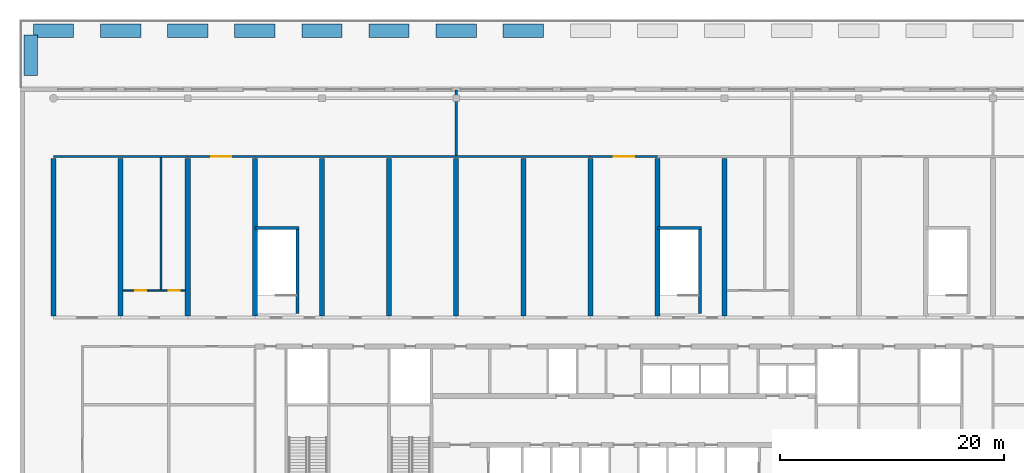
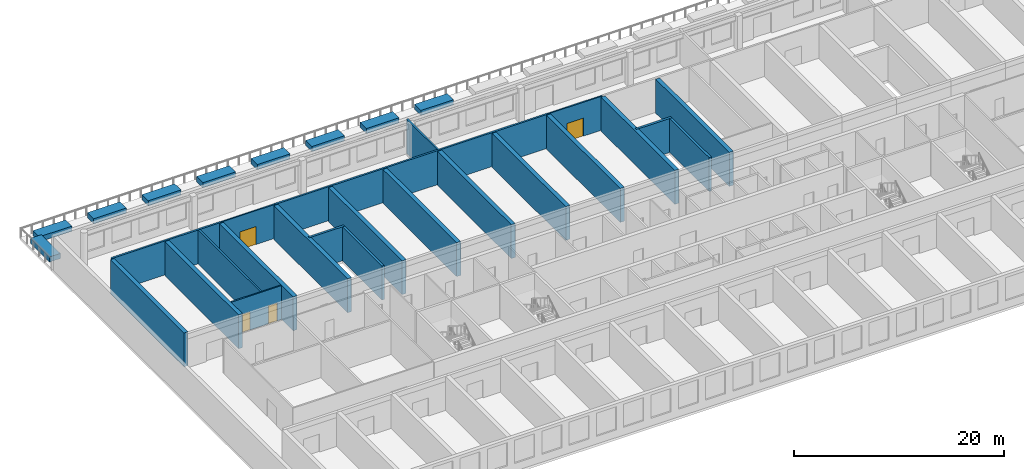
# One storey, part 7 of 15: 31 walls, 4 doors, 4 openings.
"""IFC4 building model written with IfcOpenShell, lengths in metres."""

from ifc_helpers import new_model, si_unit, direction, frame, frame_2d, origin, place, context, subcontext, project, spatial, polyline, rectangle, outline, extrude, source, transform, mapped, material, layer, layer_set, type_object, element, fill, save


model = new_model("IFC4")

# Units and contexts
model_context = context("Model", 3, precision=1e-05, world=origin(), true_north=direction((0.0, 1.0)))
body_context = subcontext(model_context, "Body", "Model", "MODEL_VIEW")
ifc_project = project(units=[si_unit("LENGTHUNIT", "METRE"), si_unit("AREAUNIT", "SQUARE_METRE"), si_unit("VOLUMEUNIT", "CUBIC_METRE"), si_unit("PLANEANGLEUNIT", "RADIAN"), si_unit("MASSUNIT", "GRAM", prefix="KILO")], contexts=[model_context])

# Site, building, storey
site_placement = place(None, origin())
site = spatial("IfcSite", under=ifc_project, at=site_placement, CompositionType="ELEMENT")
building_placement = place(site_placement, origin())
building = spatial("IfcBuilding", under=site, at=building_placement, Name="Poui Terraces", CompositionType="ELEMENT")
storey_placement = place(building_placement, frame((0.0, 0.0, 19.199951171875)))
storey = spatial("IfcBuildingStorey", under=building, at=storey_placement, Name="L04", CompositionType="ELEMENT", Elevation=19.199951171875)

# Walls
ifc_material_1 = material(Name="Fire-rated masonry wall", Category="masonry")
ifc_layer_1 = layer(ifc_material_1, 0.199951171875)
ifc_layer_set_1 = layer_set([ifc_layer_1], Name="Fire-rated masonry wall")
wall_type_1 = type_object("IfcWallType", Name="COMPARTMENT WALL 200", PredefinedType="PARTITIONING", material=ifc_layer_set_1)
wall_1_placement = place(storey_placement, frame((0.0, 44.800048828125, 0.0), z_axis=(0.0, 0.0, 1.0), x_axis=(1.0, 0.0, 0.0)))
element("IfcWall", 1, at=wall_1_placement, inside=storey, type_object=wall_type_1, Name="COMPARTMENT WALL 200", PredefinedType="PARTITIONING", context=body_context, shape_type="SweptSolid", body=[
    extrude(rectangle(XDim=12.0, YDim=0.199951171875, at=frame_2d((6.0, 0.0))), origin(), (0.0, 0.0, 1.0), 3.949951171875),
])
wall_2_placement = place(storey_placement, frame((18.0, 44.800048828125, 0.0), z_axis=(0.0, 0.0, 1.0), x_axis=(1.0, 0.0, 0.0)))
element("IfcWall", 2, at=wall_2_placement, inside=storey, type_object=wall_type_1, Name="COMPARTMENT WALL 200", PredefinedType="PARTITIONING", context=body_context, shape_type="SweptSolid", body=[
    extrude(rectangle(XDim=30.0, YDim=0.199951171875, at=frame_2d((15.0, 0.0))), origin(), (0.0, 0.0, 1.0), 3.949951171875),
])
wall_3_placement = place(storey_placement, frame((9.60009765625, 32.875, 0.0), z_axis=(0.0, 0.0, 1.0), x_axis=(0.0, 1.0, 0.0)))
element("IfcWall", 3, at=wall_3_placement, inside=storey, type_object=wall_type_1, Name="COMPARTMENT WALL 200", PredefinedType="PARTITIONING", context=body_context, shape_type="SweptSolid", body=[
    extrude(rectangle(XDim=11.824951171875, YDim=0.199951171875, at=frame_2d((5.91259765625, 0.0))), origin(), (0.0, 0.0, 1.0), 3.949951171875),
])
wall_4_placement = place(storey_placement, frame((36.0, 44.89990234375, 0.0), z_axis=(0.0, 0.0, 1.0), x_axis=(0.0, 1.0, 0.0)))
element("IfcWall", 4, at=wall_4_placement, inside=storey, type_object=wall_type_1, Name="COMPARTMENT WALL 200", PredefinedType="PARTITIONING", context=body_context, shape_type="SweptSolid", body=[
    extrude(rectangle(XDim=5.840087890625, YDim=0.199951171875, at=frame_2d((2.919921875, 0.0))), origin(), (0.0, 0.0, 1.0), 3.949951171875),
])

# Wall, openings, doors
ifc_material_2 = material(Name="Fire-rated plasterboard wall")
ifc_layer_2 = layer(ifc_material_2, 0.14990234375)
ifc_layer_set_2 = layer_set([ifc_layer_2], Name="Fire-rated plasterboard wall")
wall_type_2 = type_object("IfcWallType", Name="CORRIDOR WALL 150", PredefinedType="PARTITIONING", material=ifc_layer_set_2)
wall_5_placement = place(storey_placement, frame((6.235107421875, 32.800048828125, 0.0), z_axis=(0.0, 0.0, 1.0), x_axis=(1.0, 0.0, 0.0)))
wall_5 = element("IfcWall", 5, at=wall_5_placement, inside=storey, type_object=wall_type_2, Name="CORRIDOR WALL 150", PredefinedType="PARTITIONING", context=body_context, shape_type="SweptSolid", body=[
    extrude(rectangle(XDim=5.52978515625, YDim=0.14990234375, at=frame_2d((2.764892578125, 0.0))), origin(), (0.0, 0.0, 1.0), 3.949951171875),
])
opening_1_placement = place(wall_5_placement, frame((1.06494140625, 0.0, 0.0)))
opening_1 = element("IfcOpeningElement", 6, at=opening_1_placement, cuts=wall_5, Name="Opening D100", PredefinedType="OPENING", context=body_context, shape_type="SweptSolid", body=[
    extrude(rectangle(XDim=1.0, YDim=2.10009765625, at=frame_2d((0.5, 1.050048828125))), frame((0.0, 0.0849609375, 0.0), z_axis=(0.0, -1.0, 0.0), x_axis=(1.0, 0.0, 0.0)), (0.0, 0.0, 1.0), 0.169921875),
])
opening_2_placement = place(wall_5_placement, frame((4.06494140625, 0.0, 0.0)))
opening_2 = element("IfcOpeningElement", 7, at=opening_2_placement, cuts=wall_5, Name="Opening D100", PredefinedType="OPENING", context=body_context, shape_type="SweptSolid", body=[
    extrude(rectangle(XDim=1.0, YDim=2.10009765625, at=frame_2d((0.5, 1.050048828125))), frame((0.0, 0.0849609375, 0.0), z_axis=(0.0, -1.0, 0.0), x_axis=(1.0, 0.0, 0.0)), (0.0, 0.0, 1.0), 0.169921875),
])
ifc_material_3 = material(Name="Solid core timber door", Category="wood")
door_type_1 = type_object("IfcDoorType", Name="ACCESSIBLE INTERNAL DOOR 1000 X 2100", OperationType="NOTDEFINED", PredefinedType="DOOR", material=ifc_material_3)
door_1_placement = place(opening_1_placement, frame((1.0, 0.0, 0.0), z_axis=(0.0, 0.0, 1.0), x_axis=(-1.0, 0.0, 0.0)))
door_1 = element("IfcDoor", 8, at=door_1_placement, inside=storey, type_object=door_type_1, Name="ACCESSIBLE INTERNAL DOOR 071", OperationType="SINGLE_SWING_RIGHT", OverallHeight=2.10009765625, OverallWidth=1.0, PredefinedType="DOOR", context=body_context, shape_type="SweptSolid", body=[
    extrude(rectangle(XDim=1.0, YDim=2.10009765625, at=frame_2d((0.5, 1.050048828125))), frame((0.0, 0.02490234375, 0.0), z_axis=(0.0, -1.0, 0.0), x_axis=(1.0, 0.0, 0.0)), (0.0, 0.0, 1.0), 0.050048828125),
])
fill(opening_1, door_1)
door_2_placement = place(opening_2_placement, frame((1.0, 0.0, 0.0), z_axis=(0.0, 0.0, 1.0), x_axis=(-1.0, 0.0, 0.0)))
door_2 = element("IfcDoor", 9, at=door_2_placement, inside=storey, type_object=door_type_1, Name="ACCESSIBLE INTERNAL DOOR 072", OperationType="SINGLE_SWING_LEFT", OverallHeight=2.10009765625, OverallWidth=1.0, PredefinedType="DOOR", context=body_context, shape_type="SweptSolid", body=[
    extrude(rectangle(XDim=1.0, YDim=2.10009765625, at=frame_2d((0.5, 1.050048828125))), frame((0.0, 0.02490234375, 0.0), z_axis=(0.0, -1.0, 0.0), x_axis=(1.0, 0.0, 0.0)), (0.0, 0.0, 1.0), 0.050048828125),
])
fill(opening_2, door_2)

# Wall, opening, door
wall_6_placement = place(storey_placement, frame((12.0, 44.800048828125, 0.0), z_axis=(0.0, 0.0, 1.0), x_axis=(1.0, 0.0, 0.0)))
wall_6 = element("IfcWall", 10, at=wall_6_placement, inside=storey, type_object=wall_type_2, Name="CORRIDOR WALL 150", PredefinedType="PARTITIONING", context=body_context, shape_type="SweptSolid", body=[
    extrude(rectangle(XDim=6.0, YDim=0.14990234375, at=frame_2d((3.0, 0.0))), origin(), (0.0, 0.0, 1.0), 3.949951171875),
])
opening_3_placement = place(wall_6_placement, frame((2.10009765625, 0.0, 0.0)))
opening_3 = element("IfcOpeningElement", 11, at=opening_3_placement, cuts=wall_6, Name="Opening DD180", PredefinedType="OPENING", context=body_context, shape_type="SweptSolid", body=[
    extrude(rectangle(XDim=1.800048828125, YDim=2.10009765625, at=frame_2d((0.89990234375, 1.050048828125))), frame((0.0, 0.0849609375, 0.0), z_axis=(0.0, -1.0, 0.0), x_axis=(1.0, 0.0, 0.0)), (0.0, 0.0, 1.0), 0.169921875),
])
ifc_material_4 = material(Name="Steel fire door", Category="steel")
door_type_2 = type_object("IfcDoorType", Name="DOUBLE INTERNAL DOOR 1800 X 2100", OperationType="DOUBLE_DOOR_SINGLE_SWING", PredefinedType="DOOR", material=ifc_material_4)
door_3_placement = place(opening_3_placement, frame((1.800048828125, 0.0, 0.0), z_axis=(0.0, 0.0, 1.0), x_axis=(-1.0, 0.0, 0.0)))
door_3 = element("IfcDoor", 12, at=door_3_placement, inside=storey, type_object=door_type_2, Name="DOUBLE INTERNAL DOOR 075", OperationType="DOUBLE_DOOR_SINGLE_SWING", OverallHeight=2.10009765625, OverallWidth=1.800048828125, PredefinedType="DOOR", context=body_context, shape_type="SweptSolid", body=[
    extrude(rectangle(XDim=1.800048828125, YDim=2.10009765625, at=frame_2d((0.89990234375, 1.050048828125))), frame((0.0, 0.02490234375, 0.0), z_axis=(0.0, -1.0, 0.0), x_axis=(1.0, 0.0, 0.0)), (0.0, 0.0, 1.0), 0.050048828125),
])
fill(opening_3, door_3)

wall_7_placement = place(storey_placement, frame((48.0, 44.800048828125, 0.0), z_axis=(0.0, 0.0, 1.0), x_axis=(1.0, 0.0, 0.0)))
wall_7 = element("IfcWall", 13, at=wall_7_placement, inside=storey, type_object=wall_type_2, Name="CORRIDOR WALL 150", PredefinedType="PARTITIONING", context=body_context, shape_type="SweptSolid", body=[
    extrude(rectangle(XDim=6.0, YDim=0.14990234375, at=frame_2d((3.0, 0.0))), origin(), (0.0, 0.0, 1.0), 3.949951171875),
])
opening_4_placement = place(wall_7_placement, frame((2.10009765625, 0.0, 0.0)))
opening_4 = element("IfcOpeningElement", 14, at=opening_4_placement, cuts=wall_7, Name="Opening DD180", PredefinedType="OPENING", context=body_context, shape_type="SweptSolid", body=[
    extrude(rectangle(XDim=1.800048828125, YDim=2.10009765625, at=frame_2d((0.89990234375, 1.050048828125))), frame((0.0, 0.0849609375, 0.0), z_axis=(0.0, -1.0, 0.0), x_axis=(1.0, 0.0, 0.0)), (0.0, 0.0, 1.0), 0.169921875),
])
door_4_placement = place(opening_4_placement, frame((1.800048828125, 0.0, 0.0), z_axis=(0.0, 0.0, 1.0), x_axis=(-1.0, 0.0, 0.0)))
door_4 = element("IfcDoor", 15, at=door_4_placement, inside=storey, type_object=door_type_2, Name="DOUBLE INTERNAL DOOR 076", OperationType="DOUBLE_DOOR_SINGLE_SWING", OverallHeight=2.10009765625, OverallWidth=1.800048828125, PredefinedType="DOOR", context=body_context, shape_type="SweptSolid", body=[
    extrude(rectangle(XDim=1.800048828125, YDim=2.10009765625, at=frame_2d((0.89990234375, 1.050048828125))), frame((0.0, 0.02490234375, 0.0), z_axis=(0.0, -1.0, 0.0), x_axis=(1.0, 0.0, 0.0)), (0.0, 0.0, 1.0), 0.050048828125),
])
fill(opening_4, door_4)

# Walls
ifc_material_5 = material(Name="Concrete 80 MPa", Category="concrete")
ifc_layer_3 = layer(ifc_material_5, 0.449951171875)
ifc_layer_set_3 = layer_set([ifc_layer_3], Name="Concrete 80 MPa")
wall_type_3 = type_object("IfcWallType", Name="CROSS WALL 450 80MPa", PredefinedType="SHEAR", material=ifc_layer_set_3)
for number, where, z_axis, x_axis, name in (
    (16, (0.0, 30.550048828125, 0.0), (0.0, 0.0, 1.0), (0.0, 1.0, 0.0), "CROSS WALL LINE 1 NORTH"),
    (17, (6.0, 30.550048828125, 0.0), (0.0, 0.0, 1.0), (0.0, 1.0, 0.0), "CROSS WALL LINE 2 NORTH"),
    (18, (12.0, 30.550048828125, 0.0), (0.0, 0.0, 1.0), (0.0, 1.0, 0.0), "CROSS WALL LINE 3 NORTH"),
    (19, (18.0, 30.550048828125, 0.0), (0.0, 0.0, 1.0), (0.0, 1.0, 0.0), "CROSS WALL LINE 4 NORTH"),
    (20, (24.0, 30.550048828125, 0.0), (0.0, 0.0, 1.0), (0.0, 1.0, 0.0), "CROSS WALL LINE 5 NORTH"),
    (21, (30.0, 30.550048828125, 0.0), (0.0, 0.0, 1.0), (0.0, 1.0, 0.0), "CROSS WALL LINE 6 NORTH"),
    (22, (36.0, 30.550048828125, 0.0), (0.0, 0.0, 1.0), (0.0, 1.0, 0.0), "CROSS WALL LINE 7 NORTH"),
    (23, (42.0, 30.550048828125, 0.0), (0.0, 0.0, 1.0), (0.0, 1.0, 0.0), "CROSS WALL LINE 8 NORTH"),
    (24, (48.0, 30.550048828125, 0.0), (0.0, 0.0, 1.0), (0.0, 1.0, 0.0), "CROSS WALL LINE 9 NORTH"),
    (25, (54.0, 30.550048828125, 0.0), (0.0, 0.0, 1.0), (0.0, 1.0, 0.0), "CROSS WALL LINE 10 NORTH"),
    (26, (60.0, 30.550048828125, 0.0), (0.0, 0.0, 1.0), (0.0, 1.0, 0.0), "CROSS WALL LINE 11 NORTH"),
):
    element("IfcWall", number, at=place(storey_placement, frame(where, z_axis=z_axis, x_axis=x_axis)), inside=storey, type_object=wall_type_3, Name=name, PredefinedType="SHEAR", context=body_context, shape_type="SweptSolid", body=[
        extrude(rectangle(XDim=14.050048828125, YDim=0.449951171875, at=frame_2d((7.02490234375, 0.0))), origin(), (0.0, 0.0, 1.0), 3.949951171875),
    ])
ifc_layer_4 = layer(ifc_material_5, 0.25)
ifc_layer_set_4 = layer_set([ifc_layer_4], Name="Concrete 80 MPa")
wall_type_4 = type_object("IfcWallType", Name="STAIR CORE WALL 250 80 MPA", PredefinedType="SOLIDWALL", material=ifc_layer_set_4)
wall_8_placement = place(storey_placement, frame((21.800048828125, 30.75, 0.0), z_axis=(0.0, 0.0, 1.0), x_axis=(0.0, 1.0, 0.0)))
element("IfcWall", 27, at=wall_8_placement, inside=storey, type_object=wall_type_4, Name="STAIR CORE WALL", PredefinedType="SOLIDWALL", context=body_context, shape_type="SweptSolid", body=[
    extrude(rectangle(XDim=7.52490234375, YDim=0.25, at=frame_2d((3.762451171875, 0.0))), origin(), (0.0, 0.0, 1.0), 3.949951171875),
])
wall_9_placement = place(storey_placement, frame((18.0, 38.39990234375, 0.0), z_axis=(0.0, 0.0, 1.0), x_axis=(1.0, 0.0, 0.0)))
element("IfcWall", 28, at=wall_9_placement, inside=storey, type_object=wall_type_4, Name="STAIR CORE WALL", PredefinedType="SOLIDWALL", context=body_context, shape_type="SweptSolid", body=[
    extrude(rectangle(XDim=3.925048828125, YDim=0.25, at=frame_2d((1.96240234375, 0.0))), origin(), (0.0, 0.0, 1.0), 3.949951171875),
])
wall_10_placement = place(storey_placement, frame((57.800048828125, 30.75, 0.0), z_axis=(0.0, 0.0, 1.0), x_axis=(0.0, 1.0, 0.0)))
element("IfcWall", 29, at=wall_10_placement, inside=storey, type_object=wall_type_4, Name="STAIR CORE WALL", PredefinedType="SOLIDWALL", context=body_context, shape_type="SweptSolid", body=[
    extrude(rectangle(XDim=7.52490234375, YDim=0.25, at=frame_2d((3.762451171875, 0.0))), origin(), (0.0, 0.0, 1.0), 3.949951171875),
])
wall_11_placement = place(storey_placement, frame((54.0, 38.39990234375, 0.0), z_axis=(0.0, 0.0, 1.0), x_axis=(1.0, 0.0, 0.0)))
element("IfcWall", 30, at=wall_11_placement, inside=storey, type_object=wall_type_4, Name="STAIR CORE WALL", PredefinedType="SOLIDWALL", context=body_context, shape_type="SweptSolid", body=[
    extrude(rectangle(XDim=3.925048828125, YDim=0.25, at=frame_2d((1.96240234375, 0.0))), origin(), (0.0, 0.0, 1.0), 3.949951171875),
])
ifc_material_6 = material(Name="Precast concrete 40 MPa", Category="concrete")
ifc_layer_5 = layer(ifc_material_6, 1.199951171875)
ifc_layer_set_5 = layer_set([ifc_layer_5], Name="Precast concrete 40 MPa")
wall_type_5 = type_object("IfcWallType", Name="PLANTER 600", PredefinedType="USERDEFINED", material=ifc_layer_set_5)
shared_shape_1 = source(origin(), body_context, "Body", "SweptSolid", [
    extrude(outline(polyline([(0.0, 0.0), (3.60009765625, 0.0), (3.60009765625, 1.2001953125), (0.0, 1.2001953125), (0.0, 0.0)])), origin(), (0.0, 0.0, 1.0), 0.60009765625),
])
for number, where, name in (
    (31, (-1.800048828125, 55.419921875, 0.0), "PLANTER"),
    (32, (4.199951171875, 55.419921875, 0.0), "PLANTER"),
    (33, (10.199951171875, 55.419921875, 0.0), "PLANTER"),
    (34, (16.199951171875, 55.419921875, 0.0), "PLANTER"),
    (35, (22.199951171875, 55.419921875, 0.0), "PLANTER"),
    (36, (28.199951171875, 55.419921875, 0.0), "PLANTER"),
    (37, (34.199951171875, 55.419921875, 0.0), "PLANTER"),
    (38, (40.199951171875, 55.419921875, 0.0), "PLANTER"),
):
    element("IfcWall", number, at=place(storey_placement, frame(where)), inside=storey, type_object=wall_type_5, Name=name, ObjectType="PLANTER", PredefinedType="USERDEFINED", context=body_context, shape_type="MappedRepresentation", body=[
        mapped(shared_shape_1, transform((0.0, 0.0, 0.0))),
    ])
shared_shape_2 = source(origin(), body_context, "Body", "SweptSolid", [
    extrude(outline(polyline([(0.0, 0.0), (1.2001953125, 0.0), (1.2001953125, 3.599853515625), (0.0, 3.599853515625), (0.0, 0.0)])), origin(), (0.0, 0.0, 1.0), 0.60009765625),
])
wall_12_placement = place(storey_placement, frame((-2.6201171875, 52.0400390625, 0.0)))
element("IfcWall", 39, at=wall_12_placement, inside=storey, type_object=wall_type_5, Name="PLANTER", ObjectType="PLANTER", PredefinedType="USERDEFINED", context=body_context, shape_type="MappedRepresentation", body=[
    mapped(shared_shape_2, transform((0.0, 0.0, 0.0))),
])

save(model, "model.ifc")
